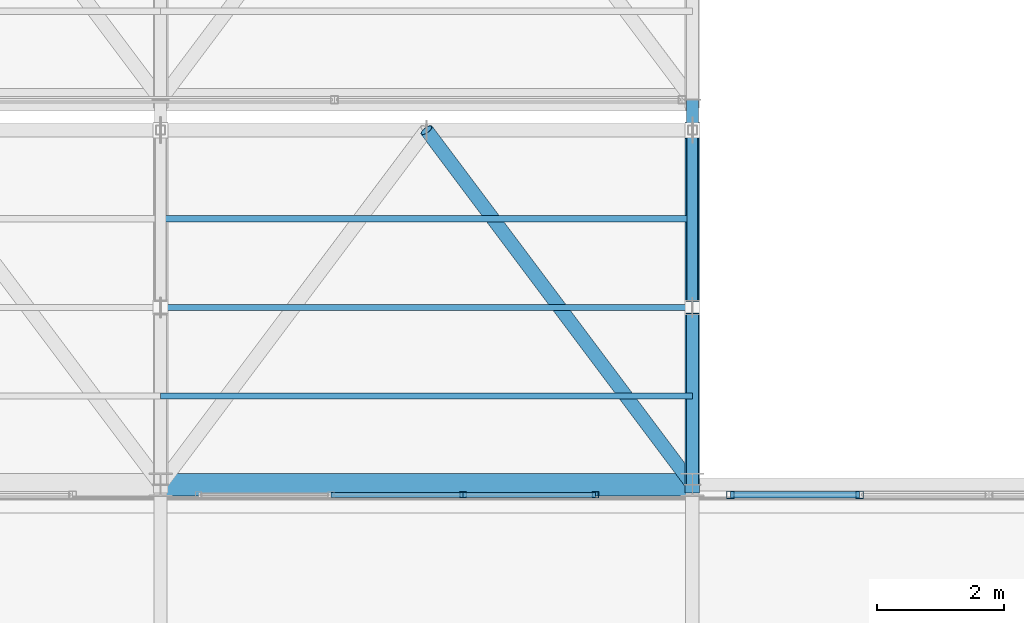
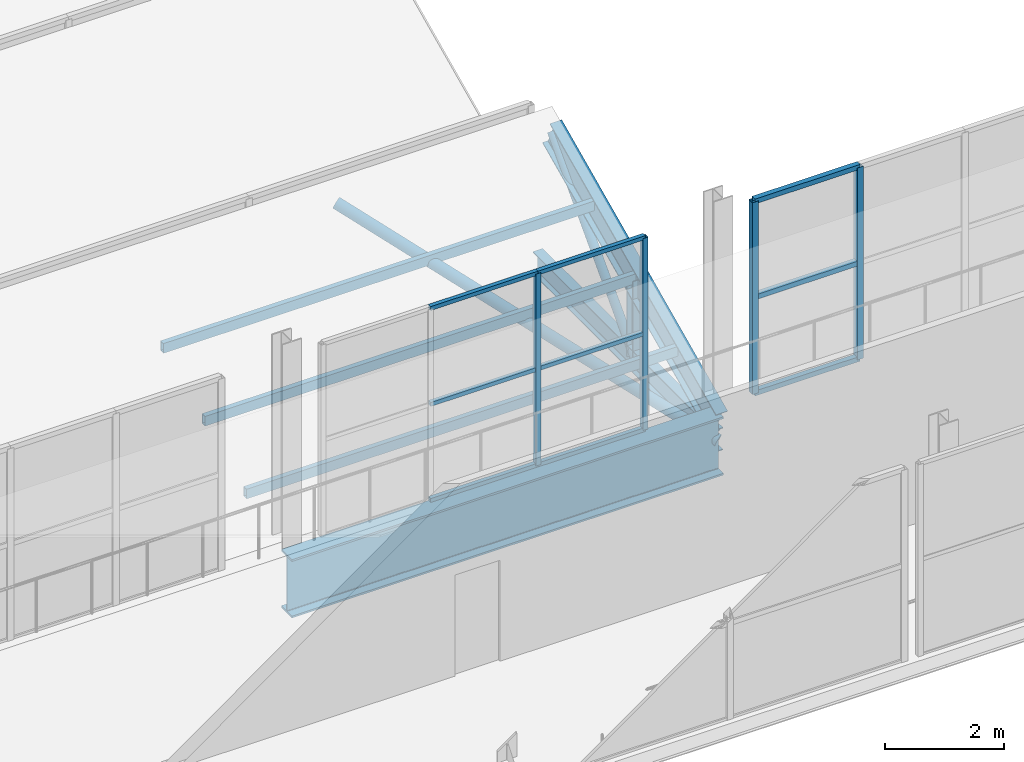
# One storey, part 98 of 217: 21 members, 1 beam, 2 elements without a shape of their own.
"""IFC4 building model written with IfcOpenShell, lengths in metres."""

from ifc_helpers import new_model, si_unit, direction, frame, origin, origin_2d, place, context, subcontext, project, spatial, hollow_rectangle, hollow_circle, i_section, extrude, material, material_profile, profile_set, type_object, element, aggregate, save


model = new_model("IFC4")

# Units and contexts
model_context = context("Model", 3, precision=1e-05, world=origin(), true_north=direction((0.0, 1.0)))
body_context = subcontext(model_context, "Body", "Model", "MODEL_VIEW")
ifc_project = project(units=[si_unit("LENGTHUNIT", "METRE"), si_unit("AREAUNIT", "SQUARE_METRE"), si_unit("VOLUMEUNIT", "CUBIC_METRE"), si_unit("PLANEANGLEUNIT", "RADIAN"), si_unit("MASSUNIT", "GRAM", prefix="KILO")], contexts=[model_context])

# Site, building, storey
site_placement = place(None, origin())
site = spatial("IfcSite", under=ifc_project, at=site_placement, CompositionType="ELEMENT")
building_placement = place(site_placement, origin())
building = spatial("IfcBuilding", under=site, at=building_placement, Name="Zuvorla Pavilion Media Centre", CompositionType="ELEMENT")
storey_placement = place(building_placement, frame((0.0, 0.0, 9.60009765625)))
storey = spatial("IfcBuildingStorey", under=building, at=storey_placement, Name="L02", CompositionType="ELEMENT", Elevation=9.60009765625)

# Beam
ifc_material_1 = material(Name="Steel S355", Category="steel")
ifc_material_profile_1 = material_profile(ifc_material_1, i_section(OverallWidth=0.360107421875, OverallDepth=1.199951171875, WebThickness=0.02001953125, FlangeThickness=0.0380859375, FilletRadius=0.02392578125, at=origin_2d()), Name="PG 1200x360x38")
ifc_profile_set_1 = profile_set([ifc_material_profile_1], Name="Steel S355")
beam_type = type_object("IfcBeamType", Name="BM-PG1200", PredefinedType="BEAM", material=ifc_profile_set_1)
beam_placement = place(storey_placement, frame((125.60009765625, 89.60009765625, -0.88818359375), z_axis=(1.0, 0.0, 0.0), x_axis=(0.0, 1.0, 0.0)))
element("IfcBeam", 1, at=beam_placement, inside=storey, type_object=beam_type, Name="L02 beam B01 1783", PredefinedType="BEAM", context=body_context, shape_type="SweptSolid", body=[
    extrude(i_section(OverallWidth=0.360107421875, OverallDepth=1.199951171875, WebThickness=0.02001953125, FlangeThickness=0.0380859375, FilletRadius=0.02392578125, at=origin_2d()), origin(), (0.0, 0.0, 1.0), 8.39990234375),
])

# Curtain wall, members
ifc_material_2 = material(Name="Unitised anodised aluminium and solar glass curtain wall", Category="aluminium")
curtain_wall_type_1 = type_object("IfcCurtainWallType", Name="CW-SYS-10", PredefinedType="USERDEFINED", material=ifc_material_2)
curtain_wall_1_placement = place(storey_placement, origin())
curtain_wall_1 = element("IfcCurtainWall", 2, at=curtain_wall_1_placement, inside=storey, type_object=curtain_wall_type_1, Name="L02 curtain wall CW10 15", ObjectType="CURTAIN WALL", PredefinedType="USERDEFINED")
ifc_material_3 = material(Name="Anodised aluminium 6063-T6", Category="aluminium")
ifc_material_profile_2 = material_profile(ifc_material_3, hollow_rectangle(XDim=0.10009765625, YDim=0.10009765625, WallThickness=0.00439453125, at=origin_2d()), Name="ALU MULL 100x100")
ifc_profile_set_2 = profile_set([ifc_material_profile_2], Name="Anodised aluminium 6063-T6")
member_type_1 = type_object("IfcMemberType", Name="CW-MULL-100", PredefinedType="MULLION", material=ifc_profile_set_2)
member_1_placement = place(storey_placement, frame((132.468505859375, 89.43994140625, 0.0), z_axis=(0.0, 0.0, 1.0), x_axis=(1.0, 0.0, 0.0)))
member_1 = element("IfcMember", 3, at=member_1_placement, type_object=member_type_1, Name="CW10 mullion 1", PredefinedType="MULLION", context=body_context, shape_type="SweptSolid", body=[
    extrude(hollow_rectangle(XDim=0.10009765625, YDim=0.10009765625, WallThickness=0.00439453125, at=origin_2d()), origin(), (0.0, 0.0, 1.0), 3.949951171875),
])
member_2_placement = place(storey_placement, frame((130.379150390625, 89.43994140625, 0.0), z_axis=(0.0, 0.0, 1.0), x_axis=(1.0, 0.0, 0.0)))
member_2 = element("IfcMember", 4, at=member_2_placement, type_object=member_type_1, Name="CW10 mullion 2", PredefinedType="MULLION", context=body_context, shape_type="SweptSolid", body=[
    extrude(hollow_rectangle(XDim=0.10009765625, YDim=0.10009765625, WallThickness=0.00439453125, at=origin_2d()), origin(), (0.0, 0.0, 1.0), 3.949951171875),
])

curtain_wall_type_2 = type_object("IfcCurtainWallType", Name="CW-SYS-09", PredefinedType="USERDEFINED", material=ifc_material_2)
curtain_wall_2_placement = place(storey_placement, origin())
curtain_wall_2 = element("IfcCurtainWall", 5, at=curtain_wall_2_placement, inside=storey, type_object=curtain_wall_type_2, Name="L02 curtain wall CW09 14", ObjectType="CURTAIN WALL", PredefinedType="USERDEFINED")
ifc_material_profile_3 = material_profile(ifc_material_3, hollow_rectangle(XDim=0.1201171875, YDim=0.1201171875, WallThickness=0.0048828125, at=origin_2d()), Name="ALU MULL 120x120")
ifc_profile_set_3 = profile_set([ifc_material_profile_3], Name="Anodised aluminium 6063-T6")
member_type_2 = type_object("IfcMemberType", Name="CW-MULL-120", PredefinedType="MULLION", material=ifc_profile_set_3)
member_3_placement = place(storey_placement, frame((136.64208984375, 89.43994140625, 0.0), z_axis=(0.0, 0.0, 1.0), x_axis=(1.0, 0.0, 0.0)))
member_3 = element("IfcMember", 6, at=member_3_placement, type_object=member_type_2, Name="CW09 mullion 3", PredefinedType="MULLION", context=body_context, shape_type="SweptSolid", body=[
    extrude(hollow_rectangle(XDim=0.1201171875, YDim=0.1201171875, WallThickness=0.0048828125, at=origin_2d()), origin(), (0.0, 0.0, 1.0), 3.949951171875),
])
member_4_placement = place(storey_placement, frame((134.60009765625, 89.43994140625, 0.0), z_axis=(0.0, 0.0, 1.0), x_axis=(1.0, 0.0, 0.0)))
member_4 = element("IfcMember", 7, at=member_4_placement, type_object=member_type_2, Name="CW09 mullion 4", PredefinedType="MULLION", context=body_context, shape_type="SweptSolid", body=[
    extrude(hollow_rectangle(XDim=0.1201171875, YDim=0.1201171875, WallThickness=0.0048828125, at=origin_2d()), origin(), (0.0, 0.0, 1.0), 3.949951171875),
])
ifc_material_profile_4 = material_profile(ifc_material_3, hollow_rectangle(XDim=0.10009765625, YDim=0.10009765625, WallThickness=0.00439453125, at=origin_2d()), Name="ALU TRAN 100x100")
ifc_profile_set_4 = profile_set([ifc_material_profile_4], Name="Anodised aluminium 6063-T6")
member_type_3 = type_object("IfcMemberType", Name="CW-TRAN-100", PredefinedType="USERDEFINED", material=ifc_profile_set_4)
member_5_placement = place(storey_placement, frame((136.64208984375, 89.43994140625, 0.0), z_axis=(-1.0, 0.0, 0.0), x_axis=(0.0, -1.0, 0.0)))
member_5 = element("IfcMember", 8, at=member_5_placement, type_object=member_type_3, Name="CW09 transom 3.1", ObjectType="TRANSOM", PredefinedType="USERDEFINED", context=body_context, shape_type="SweptSolid", body=[
    extrude(hollow_rectangle(XDim=0.10009765625, YDim=0.10009765625, WallThickness=0.00439453125, at=origin_2d()), origin(), (0.0, 0.0, 1.0), 2.0419921875),
])
member_6_placement = place(storey_placement, frame((136.64208984375, 89.43994140625, 1.974853515625), z_axis=(-1.0, 0.0, 0.0), x_axis=(0.0, -1.0, 0.0)))
member_6 = element("IfcMember", 9, at=member_6_placement, type_object=member_type_3, Name="CW09 transom 3.2", ObjectType="TRANSOM", PredefinedType="USERDEFINED", context=body_context, shape_type="SweptSolid", body=[
    extrude(hollow_rectangle(XDim=0.10009765625, YDim=0.10009765625, WallThickness=0.00439453125, at=origin_2d()), origin(), (0.0, 0.0, 1.0), 2.0419921875),
])
member_7_placement = place(storey_placement, frame((136.64208984375, 89.43994140625, 3.949951171875), z_axis=(-1.0, 0.0, 0.0), x_axis=(0.0, -1.0, 0.0)))
member_7 = element("IfcMember", 10, at=member_7_placement, type_object=member_type_3, Name="CW09 transom 3.3", ObjectType="TRANSOM", PredefinedType="USERDEFINED", context=body_context, shape_type="SweptSolid", body=[
    extrude(hollow_rectangle(XDim=0.10009765625, YDim=0.10009765625, WallThickness=0.00439453125, at=origin_2d()), origin(), (0.0, 0.0, 1.0), 2.0419921875),
])
aggregate(curtain_wall_2, [member_3, member_4, member_5, member_6, member_7])

# Member
ifc_material_profile_5 = material_profile(ifc_material_3, hollow_rectangle(XDim=0.080078125, YDim=0.080078125, WallThickness=0.00390625, at=origin_2d()), Name="ALU TRAN 80x80")
ifc_profile_set_5 = profile_set([ifc_material_profile_5], Name="Anodised aluminium 6063-T6")
member_type_4 = type_object("IfcMemberType", Name="CW-TRAN-80", PredefinedType="USERDEFINED", material=ifc_profile_set_5)
member_8_placement = place(storey_placement, frame((132.468505859375, 89.43994140625, 0.0), z_axis=(-1.0, 0.0, 0.0), x_axis=(0.0, -1.0, 0.0)))
member_8 = element("IfcMember", 11, at=member_8_placement, type_object=member_type_4, Name="CW10 transom 1.1", ObjectType="TRANSOM", PredefinedType="USERDEFINED", context=body_context, shape_type="SweptSolid", body=[
    extrude(hollow_rectangle(XDim=0.080078125, YDim=0.080078125, WallThickness=0.00390625, at=origin_2d()), origin(), (0.0, 0.0, 1.0), 2.08935546875),
])

member_9_placement = place(storey_placement, frame((132.468505859375, 89.43994140625, 1.974853515625), z_axis=(-1.0, 0.0, 0.0), x_axis=(0.0, -1.0, 0.0)))
member_9 = element("IfcMember", 12, at=member_9_placement, type_object=member_type_4, Name="CW10 transom 1.2", ObjectType="TRANSOM", PredefinedType="USERDEFINED", context=body_context, shape_type="SweptSolid", body=[
    extrude(hollow_rectangle(XDim=0.080078125, YDim=0.080078125, WallThickness=0.00390625, at=origin_2d()), origin(), (0.0, 0.0, 1.0), 2.08935546875),
])

member_10_placement = place(storey_placement, frame((132.468505859375, 89.43994140625, 3.949951171875), z_axis=(-1.0, 0.0, 0.0), x_axis=(0.0, -1.0, 0.0)))
member_10 = element("IfcMember", 13, at=member_10_placement, type_object=member_type_4, Name="CW10 transom 1.3", ObjectType="TRANSOM", PredefinedType="USERDEFINED", context=body_context, shape_type="SweptSolid", body=[
    extrude(hollow_rectangle(XDim=0.080078125, YDim=0.080078125, WallThickness=0.00390625, at=origin_2d()), origin(), (0.0, 0.0, 1.0), 2.08935546875),
])

member_11_placement = place(storey_placement, frame((130.379150390625, 89.43994140625, 0.0), z_axis=(-1.0, 0.0, 0.0), x_axis=(0.0, -1.0, 0.0)))
member_11 = element("IfcMember", 14, at=member_11_placement, type_object=member_type_4, Name="CW10 transom 2.1", ObjectType="TRANSOM", PredefinedType="USERDEFINED", context=body_context, shape_type="SweptSolid", body=[
    extrude(hollow_rectangle(XDim=0.080078125, YDim=0.080078125, WallThickness=0.00390625, at=origin_2d()), origin(), (0.0, 0.0, 1.0), 2.089599609375),
])

member_12_placement = place(storey_placement, frame((130.379150390625, 89.43994140625, 1.974853515625), z_axis=(-1.0, 0.0, 0.0), x_axis=(0.0, -1.0, 0.0)))
member_12 = element("IfcMember", 15, at=member_12_placement, type_object=member_type_4, Name="CW10 transom 2.2", ObjectType="TRANSOM", PredefinedType="USERDEFINED", context=body_context, shape_type="SweptSolid", body=[
    extrude(hollow_rectangle(XDim=0.080078125, YDim=0.080078125, WallThickness=0.00390625, at=origin_2d()), origin(), (0.0, 0.0, 1.0), 2.089599609375),
])

member_13_placement = place(storey_placement, frame((130.379150390625, 89.43994140625, 3.949951171875), z_axis=(-1.0, 0.0, 0.0), x_axis=(0.0, -1.0, 0.0)))
member_13 = element("IfcMember", 16, at=member_13_placement, type_object=member_type_4, Name="CW10 transom 2.3", ObjectType="TRANSOM", PredefinedType="USERDEFINED", context=body_context, shape_type="SweptSolid", body=[
    extrude(hollow_rectangle(XDim=0.080078125, YDim=0.080078125, WallThickness=0.00390625, at=origin_2d()), origin(), (0.0, 0.0, 1.0), 2.089599609375),
])

aggregate(curtain_wall_1, [member_1, member_2, member_8, member_9, member_10, member_11, member_12, member_13])

# Members
ifc_material_profile_6 = material_profile(ifc_material_1, hollow_circle(Radius=0.084228515625, WallThickness=0.008056640625, at=origin_2d()), Name="CHS 168.3x8")
ifc_profile_set_6 = profile_set([ifc_material_profile_6], Name="Steel S355")
member_type_5 = type_object("IfcMemberType", Name="MEM-BRC-CHS168", PredefinedType="BRACE", material=ifc_profile_set_6)
member_14_placement = place(storey_placement, frame((134.0, 92.39990234375, -0.880126953125), z_axis=(0.0, 0.68676242614, 0.726881950555), x_axis=(-1.0, 0.0, 0.0)))
element("IfcMember", 17, at=member_14_placement, inside=storey, type_object=member_type_5, Name="L02 diagonal brace TB03 76", PredefinedType="BRACE", context=body_context, shape_type="SweptSolid", body=[
    extrude(hollow_circle(Radius=0.084228515625, WallThickness=0.008056640625, at=origin_2d()), origin(), (0.0, 0.0, 1.0), 4.0771484375),
])
ifc_material_profile_7 = material_profile(ifc_material_1, hollow_circle(Radius=0.109619140625, WallThickness=0.010009765625, at=origin_2d()), Name="CHS 219.1x10")
ifc_profile_set_7 = profile_set([ifc_material_profile_7], Name="Steel S355")
member_type_6 = type_object("IfcMemberType", Name="MEM-BRC-CHS219", PredefinedType="BRACE", material=ifc_profile_set_7)
member_15_placement = place(storey_placement, frame((129.800048828125, 95.199951171875, 2.08349609375), z_axis=(0.552524670006, -0.736688854033, -0.389879495972), x_axis=(0.799995814625, 0.600005580459, 0.0)))
element("IfcMember", 18, at=member_15_placement, inside=storey, type_object=member_type_6, Name="L02 diagonal brace TB02 122", PredefinedType="BRACE", context=body_context, shape_type="SweptSolid", body=[
    extrude(hollow_circle(Radius=0.109619140625, WallThickness=0.010009765625, at=origin_2d()), origin(), (0.0, 0.0, 1.0), 7.601318359375),
])
ifc_material_profile_8 = material_profile(ifc_material_1, i_section(OverallWidth=0.19140625, OverallDepth=0.4599609375, WebThickness=0.010009765625, FlangeThickness=0.01611328125, FilletRadius=0.01025390625, at=origin_2d()), Name="UB 457x191x82")
ifc_profile_set_8 = profile_set([ifc_material_profile_8], Name="Steel S355")
member_type_7 = type_object("IfcMemberType", Name="MEM-CHD-UB457", PredefinedType="CHORD", material=ifc_profile_set_8)
member_16_placement = place(storey_placement, frame((134.0, 89.60009765625, -0.880126953125), z_axis=(0.0, 1.0, 0.0), x_axis=(-1.0, 0.0, 0.0)))
element("IfcMember", 19, at=member_16_placement, inside=storey, type_object=member_type_7, Name="L02 chord TC03 73", PredefinedType="CHORD", context=body_context, shape_type="SweptSolid", body=[
    extrude(i_section(OverallWidth=0.19140625, OverallDepth=0.4599609375, WebThickness=0.010009765625, FlangeThickness=0.01611328125, FilletRadius=0.01025390625, at=origin_2d()), origin(), (0.0, 0.0, 1.0), 6.079833984375),
])
ifc_material_profile_9 = material_profile(ifc_material_1, i_section(OverallWidth=0.22900390625, OverallDepth=0.6123046875, WebThickness=0.011962890625, FlangeThickness=0.01953125, FilletRadius=0.0126953125, at=origin_2d()), Name="UB 610x229x125")
ifc_profile_set_9 = profile_set([ifc_material_profile_9], Name="Steel S355")
member_type_8 = type_object("IfcMemberType", Name="MEM-CHD-UB610", PredefinedType="CHORD", material=ifc_profile_set_9)
member_17_placement = place(storey_placement, frame((134.0, 89.60009765625, -0.5166015625), z_axis=(0.0, 0.906998718654, 0.421133380724), x_axis=(-1.0, 0.0, 0.0)))
element("IfcMember", 20, at=member_17_placement, inside=storey, type_object=member_type_8, Name="L02 chord TC01 74", PredefinedType="CHORD", context=body_context, shape_type="SweptSolid", body=[
    extrude(i_section(OverallWidth=0.22900390625, OverallDepth=0.6123046875, WebThickness=0.011962890625, FlangeThickness=0.01953125, FilletRadius=0.0126953125, at=origin_2d()), origin(), (0.0, 0.0, 1.0), 6.174072265625),
])
ifc_material_profile_10 = material_profile(ifc_material_1, hollow_rectangle(XDim=0.10009765625, YDim=0.199951171875, WallThickness=0.008056640625, at=origin_2d()), Name="RHS 200x100x8")
ifc_profile_set_10 = profile_set([ifc_material_profile_10], Name="Steel S355")
member_type_9 = type_object("IfcMemberType", Name="MEM-PUR-RHS200", PredefinedType="PURLIN", material=ifc_profile_set_10)
for number, where, z_axis, x_axis, name in (
    (21, (125.60009765625, 91.0, 0.133544921875), (1.0, 0.0, 0.0), (0.0, 1.0, 0.0), "L02 purlin PR01 123"),
    (22, (125.60009765625, 92.39990234375, 0.783447265625), (1.0, 0.0, 0.0), (0.0, 1.0, 0.0), "L02 purlin PR01 124"),
    (23, (125.60009765625, 93.800048828125, 1.43359375), (1.0, 0.0, 0.0), (0.0, 1.0, 0.0), "L02 purlin PR01 125"),
):
    element("IfcMember", number, at=place(storey_placement, frame(where, z_axis=z_axis, x_axis=x_axis)), inside=storey, type_object=member_type_9, Name=name, PredefinedType="PURLIN", context=body_context, shape_type="SweptSolid", body=[
        extrude(hollow_rectangle(XDim=0.10009765625, YDim=0.199951171875, WallThickness=0.008056640625, at=origin_2d()), origin(), (0.0, 0.0, 1.0), 8.39990234375),
    ])
ifc_material_profile_11 = material_profile(ifc_material_1, i_section(OverallWidth=0.205810546875, OverallDepth=0.209716796875, WebThickness=0.009521484375, FlangeThickness=0.01416015625, FilletRadius=0.01025390625, at=origin_2d()), Name="UC 203x203x60")
ifc_profile_set_11 = profile_set([ifc_material_profile_11], Name="Steel S355")
member_type_10 = type_object("IfcMemberType", Name="MEM-STR-UC203", PredefinedType="STRUT", material=ifc_profile_set_11)
member_18_placement = place(storey_placement, frame((134.0, 92.39990234375, -0.880126953125), z_axis=(0.0, 0.0, 1.0), x_axis=(1.0, 0.0, 0.0)))
element("IfcMember", 24, at=member_18_placement, inside=storey, type_object=member_type_10, Name="L02 vertical strut TS02 77", PredefinedType="STRUT", context=body_context, shape_type="SweptSolid", body=[
    extrude(i_section(OverallWidth=0.205810546875, OverallDepth=0.209716796875, WebThickness=0.009521484375, FlangeThickness=0.01416015625, FilletRadius=0.01025390625, at=origin_2d()), origin(), (0.0, 0.0, 1.0), 1.66357421875),
])

save(model, "model.ifc")
